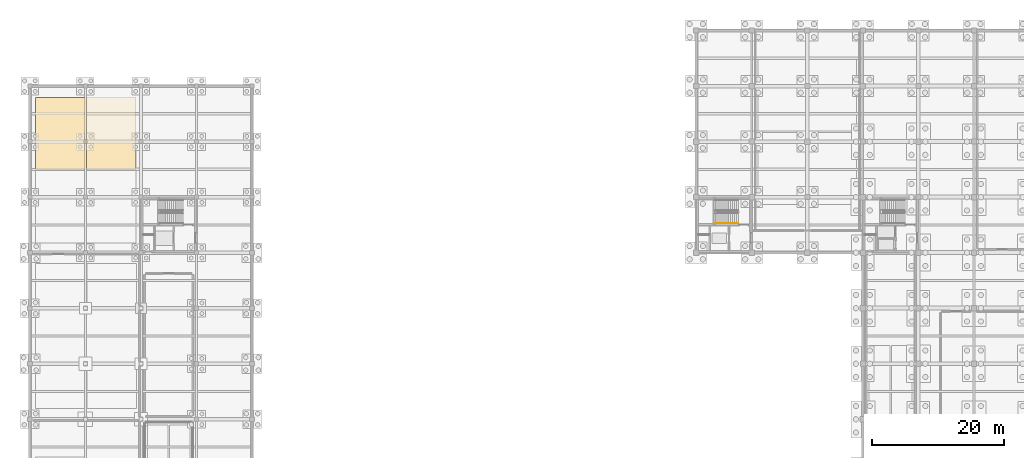
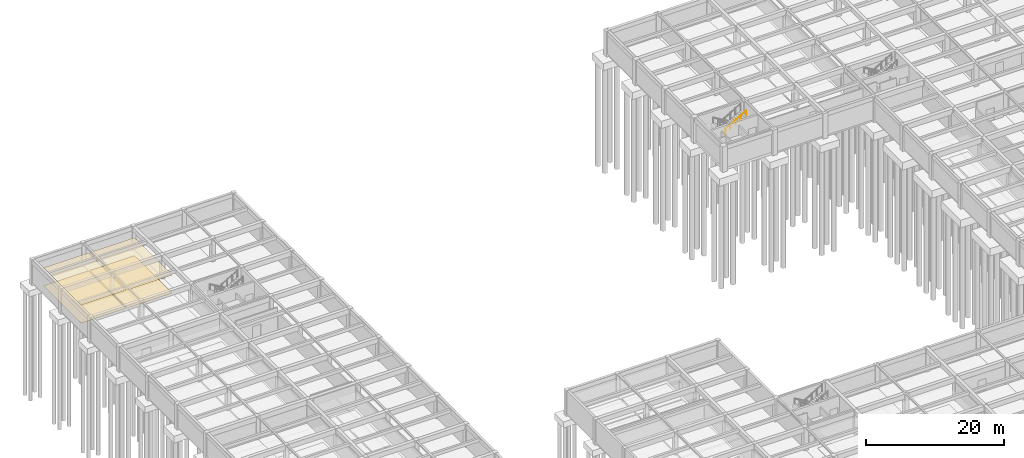
# One storey, part 28 of 33: 4 coverings, 1 railing.
"""IFC4 building model written with IfcOpenShell, lengths in metres."""

from ifc_helpers import new_model, si_unit, direction, frame, origin, origin_2d, place, context, subcontext, project, spatial, rectangle, circle, extrude, material, layer, layer_set, type_object, element, save


model = new_model("IFC4")

# Units and contexts
model_context = context("Model", 3, precision=1e-05, world=origin(), true_north=direction((0.0, 1.0)))
body_context = subcontext(model_context, "Body", "Model", "MODEL_VIEW")
ifc_project = project(units=[si_unit("LENGTHUNIT", "METRE"), si_unit("AREAUNIT", "SQUARE_METRE"), si_unit("VOLUMEUNIT", "CUBIC_METRE"), si_unit("PLANEANGLEUNIT", "RADIAN"), si_unit("MASSUNIT", "GRAM", prefix="KILO")], contexts=[model_context])

# Site, building, storey
site_placement = place(None, origin())
site = spatial("IfcSite", under=ifc_project, at=site_placement, CompositionType="ELEMENT")
building_placement = place(site_placement, origin())
building = spatial("IfcBuilding", under=site, at=building_placement, Name="Kveldsbrygga Polytechnic", CompositionType="ELEMENT")
storey_placement = place(building_placement, frame((0.0, 0.0, -4.419921875)))
storey = spatial("IfcBuildingStorey", under=building, at=storey_placement, Name="B1", CompositionType="ELEMENT", Elevation=-4.419921875)

# Coverings
ifc_material_1 = material(Name="Acoustic mineral baffle ceiling")
ifc_layer_1 = layer(ifc_material_1, 0.030029296875)
ifc_layer_set_1 = layer_set([ifc_layer_1], Name="Acoustic mineral baffle ceiling")
covering_type_1 = type_object("IfcCoveringType", Name="COV-CEIL-AC30", PredefinedType="CEILING", material=ifc_layer_set_1)
for number, where, z_axis, x_axis, name in (
    (1, (4.60009765625, 102.050048828125, 3.169921875), (0.0, 0.0, 1.0), (1.0, 0.0, 0.0), "Acoustic Ceiling SP-B1-WSTOR1-WN"),
    (2, (12.300048828125, 102.050048828125, 3.169921875), (0.0, 0.0, 1.0), (1.0, 0.0, 0.0), "Acoustic Ceiling SP-B1-WSTOR1-EN"),
):
    element("IfcCovering", number, at=place(storey_placement, frame(where, z_axis=z_axis, x_axis=x_axis)), inside=storey, type_object=covering_type_1, Name=name, PredefinedType="CEILING", context=body_context, shape_type="SweptSolid", body=[
        extrude(rectangle(XDim=7.5, YDim=10.89990234375, at=origin_2d()), origin(), (0.0, 0.0, 1.0), 0.030029296875),
    ])
ifc_material_2 = material(Name="Acoustic oak timber flooring", Category="wood")
ifc_layer_2 = layer(ifc_material_2, 0.02197265625)
ifc_layer_set_2 = layer_set([ifc_layer_2], Name="Acoustic oak timber flooring")
covering_type_2 = type_object("IfcCoveringType", Name="COV-FLR-OAK22", PredefinedType="FLOORING", material=ifc_layer_set_2)
for number, where, z_axis, x_axis, name in (
    (3, (4.60009765625, 102.050048828125, 0.0), (0.0, 0.0, 1.0), (1.0, 0.0, 0.0), "Room Flooring SP-B1-WSTOR1-WN"),
    (4, (12.300048828125, 102.050048828125, 0.0), (0.0, 0.0, 1.0), (1.0, 0.0, 0.0), "Room Flooring SP-B1-WSTOR1-EN"),
):
    element("IfcCovering", number, at=place(storey_placement, frame(where, z_axis=z_axis, x_axis=x_axis)), inside=storey, type_object=covering_type_2, Name=name, PredefinedType="FLOORING", context=body_context, shape_type="SweptSolid", body=[
        extrude(rectangle(XDim=7.5, YDim=10.89990234375, at=origin_2d()), origin(), (0.0, 0.0, 1.0), 0.02197265625),
    ])

# Railing
ifc_material_3 = material(Name="Steel S355", Category="steel")
railing_type = type_object("IfcRailingType", Name="RL-STAIR-HND", PredefinedType="HANDRAIL", material=ifc_material_3)
railing_placement = place(storey_placement, frame((103.669921875, 88.449951171875, 2.3798828125)))
element("IfcRailing", 5, at=railing_placement, inside=storey, type_object=railing_type, Name="B1 ST-5 stair handrail 2", PredefinedType="HANDRAIL", context=body_context, shape_type="SweptSolid", body=[
    extrude(circle(Radius=0.02392578125, at=origin_2d()), frame((0.0, 0.0, 0.8759765625), z_axis=(0.862692506924, 0.0, 0.505728819128), x_axis=(0.0, 1.0, 0.0)), (0.0, 0.0, 1.0), 4.033935546875),
    extrude(circle(Radius=0.02099609375, at=origin_2d()), origin(), (0.0, 0.0, 1.0), 0.847900390625),
    extrude(circle(Radius=0.02099609375, at=origin_2d()), frame((0.8701171875, 0.0, 0.510009765625)), (0.0, 0.0, 1.0), 0.847900390625),
    extrude(circle(Radius=0.02099609375, at=origin_2d()), frame((1.739990234375, 0.0, 1.02001953125)), (0.0, 0.0, 1.0), 0.847900390625),
    extrude(circle(Radius=0.02099609375, at=origin_2d()), frame((2.60986328125, 0.0, 1.530029296875)), (0.0, 0.0, 1.0), 0.847900390625),
    extrude(circle(Radius=0.02099609375, at=origin_2d()), frame((3.47998046875, 0.0, 2.0400390625)), (0.0, 0.0, 1.0), 0.847900390625),
])

save(model, "model.ifc")
